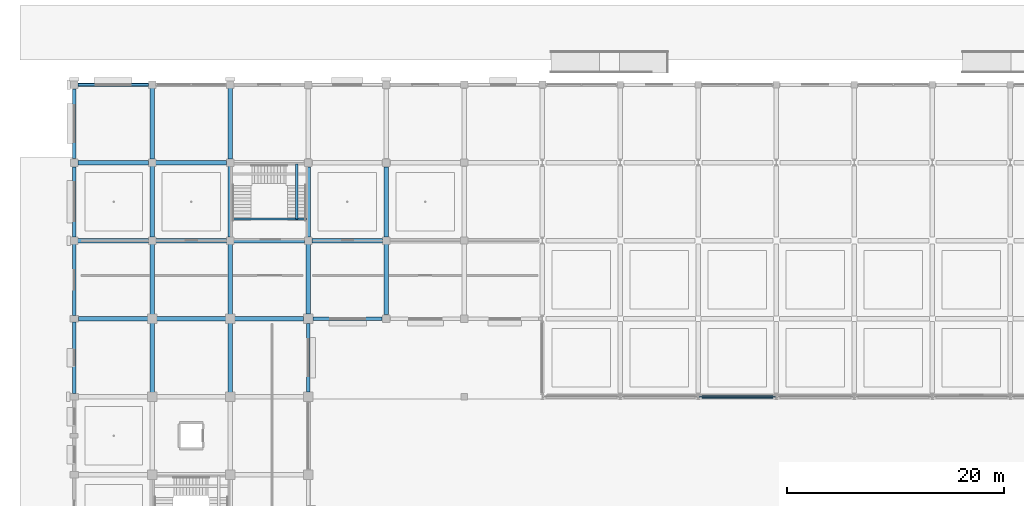
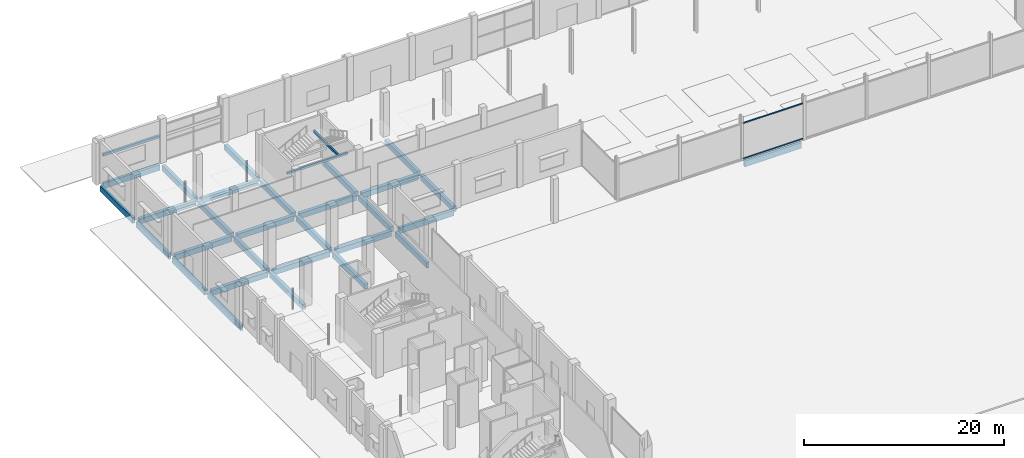
# One storey, part 15 of 90: 32 beams, 2 members, 1 element without a shape of its own.
"""IFC4 building model written with IfcOpenShell, lengths in metres."""

import ifcopenshell
import ifcopenshell.guid

model = None  # the IFC model being written
_history = None  # IfcOwnerHistory: only IFC2X3 demands one
_inside = {}  # id of a spatial element -> (the spatial element, [elements in it])
_under = {}  # id of a project, library or spatial element -> (it, [spatial elements below it])
_declared = {}  # id of a project -> (the project, [libraries it declares])
_typed = {}  # id of a type object -> (the type object, [elements of that type])
_made_of = {}  # id of a material, layer set ... -> (it, [elements and type objects made of it])


def new_model(schema):
    """Start an empty IFC model of exactly this schema.

    Asked for "IFC4X3", IfcOpenShell would pick the latest addendum, in which some entities
    have other attributes; the version numbers below select the first issue.
    IFC2X3 requires an IfcOwnerHistory on every rooted entity: one is made here for all.
    """
    global model, _history
    if schema == "IFC4X3":
        model = ifcopenshell.file(schema_version=(4, 3, 0, 0))
    else:
        model = ifcopenshell.file(schema=schema)
    _inside.clear()
    _under.clear()
    _declared.clear()
    _typed.clear()
    _made_of.clear()
    _history = None
    if model.schema == "IFC2X3":
        org = make("IfcOrganization", Name="unknown")
        user = make(
            "IfcPersonAndOrganization",
            ThePerson=make("IfcPerson", FamilyName="unknown"),
            TheOrganization=org,
        )
        app = make(
            "IfcApplication",
            ApplicationDeveloper=org,
            Version="unknown",
            ApplicationFullName="unknown",
            ApplicationIdentifier="unknown",
        )
        _history = make(
            "IfcOwnerHistory",
            OwningUser=user,
            OwningApplication=app,
            ChangeAction="ADDED",
            CreationDate=0,
        )
    return model


def make(cls, **values):
    """One entity of the class cls with the attributes given. An attribute that is None is left unset."""
    return model.create_entity(
        cls, **{name: value for name, value in values.items() if value is not None}
    )


def rooted(cls, **values):
    """An entity with a GlobalId (a new one), such as an element, a storey or a relation."""
    return make(cls, GlobalId=ifcopenshell.guid.new(), OwnerHistory=_history, **values)


def si_unit(unit_type, name, prefix=None):
    """IfcSIUnit, for example si_unit("LENGTHUNIT", "METRE", prefix="MILLI")."""
    return make("IfcSIUnit", UnitType=unit_type, Prefix=prefix, Name=name)


def assignment(units):
    """IfcUnitAssignment: the units of a project."""
    return None if units is None else make("IfcUnitAssignment", Units=units)


def point(xyz):
    """IfcCartesianPoint."""
    return None if xyz is None else make("IfcCartesianPoint", Coordinates=xyz)


def direction(xyz):
    """IfcDirection."""
    return None if xyz is None else make("IfcDirection", DirectionRatios=xyz)


def frame(location, z_axis=None, x_axis=None):
    """IfcAxis2Placement3D, a coordinate frame: its origin and axes. An axis left out is left unset."""
    return make(
        "IfcAxis2Placement3D",
        Location=point(location),
        Axis=direction(z_axis),
        RefDirection=direction(x_axis),
    )


def frame_2d(location, x_axis=None):
    """IfcAxis2Placement2D, a coordinate frame in the plane: its origin and x axis."""
    return make(
        "IfcAxis2Placement2D", Location=point(location), RefDirection=direction(x_axis)
    )


def origin():
    """The frame at (0, 0, 0) with its axes left unset."""
    return frame((0.0, 0.0, 0.0))


def origin_2d():
    """The frame at (0, 0) in the plane with its x axis left unset."""
    return frame_2d((0.0, 0.0))


def place(relative_to, where):
    """IfcLocalPlacement: puts the frame where relative to a parent placement (None: the world)."""
    return make(
        "IfcLocalPlacement", PlacementRelTo=relative_to, RelativePlacement=where
    )


def context(
    kind, dimensions, precision=None, world=None, true_north=None, identifier=None
):
    """IfcGeometricRepresentationContext, for example the 3D "Model" context."""
    return make(
        "IfcGeometricRepresentationContext",
        ContextIdentifier=identifier,
        ContextType=kind,
        CoordinateSpaceDimension=dimensions,
        Precision=precision,
        WorldCoordinateSystem=world,
        TrueNorth=true_north,
    )


def subcontext(parent, identifier, kind, view, scale=None):
    """IfcGeometricRepresentationSubContext, for example "Body" below "Model"."""
    return make(
        "IfcGeometricRepresentationSubContext",
        ContextIdentifier=identifier,
        ContextType=kind,
        ParentContext=parent,
        TargetScale=scale,
        TargetView=view,
    )


def project(units=None, contexts=None):
    """IfcProject with its units and contexts."""
    return rooted(
        "IfcProject",
        Name="project",
        RepresentationContexts=contexts,
        UnitsInContext=assignment(units),
    )


def spatial(cls, under=None, at=None, **own):
    """A site, building, storey or space (cls), placed at a placement, below another one or the project."""
    s = rooted(cls, ObjectPlacement=at, **own)
    if under is not None:
        _under.setdefault(under.id(), (under, []))[1].append(s)
    return s


def profile(cls, at=None, kind="AREA", **sizes):
    """A parametric profile (cls). Its sizes go by their IFC names, for example OverallWidth=200.0."""
    return make(cls, ProfileType=kind, Position=at, **sizes)


def rectangle(**sizes):
    """IfcRectangleProfileDef."""
    return profile("IfcRectangleProfileDef", **sizes)


def hollow_rectangle(**sizes):
    """IfcRectangleHollowProfileDef."""
    return profile("IfcRectangleHollowProfileDef", **sizes)


def extrude(swept, where, along, depth):
    """IfcExtrudedAreaSolid: the profile swept, set in the frame where, extruded along a direction by depth."""
    return make(
        "IfcExtrudedAreaSolid",
        SweptArea=swept,
        Position=where,
        ExtrudedDirection=direction(along),
        Depth=depth,
    )


def shape(context_of_items, identifier, shape_type, items):
    """IfcShapeRepresentation: the items that make up one representation, for example the "Body"."""
    return make(
        "IfcShapeRepresentation",
        ContextOfItems=context_of_items,
        RepresentationIdentifier=identifier,
        RepresentationType=shape_type,
        Items=items,
    )


def material(Name=None, Category=None):
    """IfcMaterial."""
    return make("IfcMaterial", Name=Name, Category=Category)


def layer(
    of_material, thickness, ventilated=None, Name=None, Category=None, Priority=None
):
    """IfcMaterialLayer: one layer of a wall or slab, of a material (None: an air gap)."""
    return make(
        "IfcMaterialLayer",
        Material=of_material,
        LayerThickness=thickness,
        IsVentilated=ventilated,
        Name=Name,
        Category=Category,
        Priority=Priority,
    )


def layer_set(layers, Name=None):
    """IfcMaterialLayerSet."""
    return make("IfcMaterialLayerSet", MaterialLayers=layers, LayerSetName=Name)


def material_profile(
    of_material, cross_section, Name=None, Category=None, Priority=None
):
    """IfcMaterialProfile: a cross section and its material."""
    return make(
        "IfcMaterialProfile",
        Name=Name,
        Material=of_material,
        Profile=cross_section,
        Priority=Priority,
        Category=Category,
    )


def profile_set(profiles, Name=None, composite=None):
    """IfcMaterialProfileSet."""
    return make(
        "IfcMaterialProfileSet",
        Name=Name,
        MaterialProfiles=profiles,
        CompositeProfile=composite,
    )


def made_of(thing, what):
    """Note that an element or type object is made of a material, layer set ...; save() writes the relation."""
    if what is not None:
        _made_of.setdefault(what.id(), (what, []))[1].append(thing)
    return thing


def type_object(cls, material=None, **own):
    """A type object (cls), such as IfcWallType, which elements share."""
    return made_of(rooted(cls, **own), material)


def element(
    cls,
    number,
    at=None,
    inside=None,
    cuts=None,
    type_object=None,
    material=None,
    context=None,
    identifier="Body",
    shape_type=None,
    held_by="IfcProductDefinitionShape",
    body=None,
    shapes=None,
    **own,
):
    """One element of the class cls, such as IfcWall. Its Tag is "e" and its number.

    at: its placement. inside: the storey or other place that contains it. cuts: it is an
    opening in that element (IfcRelVoidsElement). A single representation is given by context,
    identifier, shape_type and body (its items); several are given by shapes. held_by: the class
    of the entity that holds the representations. save() writes the other relations.
    """
    e = rooted(cls, Tag="e%d" % number, ObjectPlacement=at, **own)
    if body is not None:
        shapes = [shape(context, identifier, shape_type, body)]
    if shapes is not None:
        e.Representation = make(held_by, Representations=shapes)
    if inside is not None:
        _inside.setdefault(inside.id(), (inside, []))[1].append(e)
    if cuts is not None:
        rooted(
            "IfcRelVoidsElement", RelatingBuildingElement=cuts, RelatedOpeningElement=e
        )
    if type_object is not None:
        _typed.setdefault(type_object.id(), (type_object, []))[1].append(e)
    return made_of(e, material)


def aggregate(whole, parts):
    """IfcRelAggregates: a whole, such as a stair, and the parts it consists of."""
    return rooted("IfcRelAggregates", RelatingObject=whole, RelatedObjects=parts)


def save(model, path):
    """Write the relations noted so far, then the file.

    IfcRelAggregates (storeys below a building ...), IfcRelContainedInSpatialStructure (elements
    in a storey), IfcRelDefinesByType, IfcRelAssociatesMaterial and IfcRelDeclares: one each for
    every whole, place, type object, material and project.
    """
    for whole, parts in _under.values():
        aggregate(whole, parts)
    for where, things in _inside.values():
        rooted(
            "IfcRelContainedInSpatialStructure",
            RelatedElements=things,
            RelatingStructure=where,
        )
    for kind, things in _typed.values():
        rooted("IfcRelDefinesByType", RelatedObjects=things, RelatingType=kind)
    for what, things in _made_of.values():
        rooted("IfcRelAssociatesMaterial", RelatedObjects=things, RelatingMaterial=what)
    for by, libraries in _declared.values():
        rooted("IfcRelDeclares", RelatingContext=by, RelatedDefinitions=libraries)
    model.write(path)


model = new_model("IFC4")

# Units and contexts
model_context = context("Model", 3, precision=1e-05, world=origin(), true_north=direction((0.0, 1.0)))
body_context = subcontext(model_context, "Body", "Model", "MODEL_VIEW")
ifc_project = project(units=[si_unit("LENGTHUNIT", "METRE"), si_unit("AREAUNIT", "SQUARE_METRE"), si_unit("VOLUMEUNIT", "CUBIC_METRE"), si_unit("PLANEANGLEUNIT", "RADIAN"), si_unit("MASSUNIT", "GRAM", prefix="KILO")], contexts=[model_context])

# Site, building, storey
site_placement = place(None, origin())
site = spatial("IfcSite", under=ifc_project, at=site_placement, CompositionType="ELEMENT")
building_placement = place(site_placement, origin())
building = spatial("IfcBuilding", under=site, at=building_placement, Name="Kangsadwip Square Police Headquarters", CompositionType="ELEMENT")
storey_placement = place(building_placement, origin())
storey = spatial("IfcBuildingStorey", under=building, at=storey_placement, Name="L00", CompositionType="ELEMENT", Elevation=0.0)

# Curtain wall, members
ifc_material_1 = material(Name="Thermally broken anodised aluminium AW-6063-T6", Category="aluminium")
ifc_layer = layer(ifc_material_1, 0.159912109375)
ifc_layer_set = layer_set([ifc_layer], Name="Thermally broken anodised aluminium AW-6063-T6")
curtain_wall_type = type_object("IfcCurtainWallType", Name="CourtScreen7180x4450", PredefinedType="USERDEFINED", material=ifc_layer_set)
curtain_wall_placement = place(storey_placement, origin())
curtain_wall = element("IfcCurtainWall", 1, at=curtain_wall_placement, inside=storey, type_object=curtain_wall_type, Name="Curtain Wall CW-L00-0576-0864", ObjectType="GLAZED_SCREEN", PredefinedType="USERDEFINED")
ifc_material_2 = material(Name="Thermally broken anodised aluminium AW-6063-T6", Category="aluminium")
ifc_material_profile_1 = material_profile(ifc_material_2, hollow_rectangle(XDim=0.074951171875, YDim=0.139892578125, WallThickness=0.0048828125, at=origin_2d()), Name="CWT 140X75X5")
ifc_profile_set_1 = profile_set([ifc_material_profile_1], Name="Thermally broken anodised aluminium AW-6063-T6")
member_type = type_object("IfcMemberType", Name="CwTransom160x65", PredefinedType="USERDEFINED", material=ifc_profile_set_1)
member_1_placement = place(storey_placement, frame((57.68505859375, 86.39990234375, 0.070068359375), z_axis=(1.0, 0.0, 0.0), x_axis=(0.0, 1.0, 0.0)))
member_1 = element("IfcMember", 2, at=member_1_placement, type_object=member_type, Name="CW-02 transom 1.1", ObjectType="TRANSOM", PredefinedType="USERDEFINED", context=body_context, shape_type="SweptSolid", body=[
    extrude(hollow_rectangle(XDim=0.074951171875, YDim=0.139892578125, WallThickness=0.0048828125, at=origin_2d()), origin(), (0.0, 0.0, 1.0), 7.030029296875),
])
member_2_placement = place(storey_placement, frame((57.68505859375, 86.39990234375, 4.3798828125), z_axis=(1.0, 0.0, 0.0), x_axis=(0.0, 1.0, 0.0)))
member_2 = element("IfcMember", 3, at=member_2_placement, type_object=member_type, Name="CW-02 transom 1.2", ObjectType="TRANSOM", PredefinedType="USERDEFINED", context=body_context, shape_type="SweptSolid", body=[
    extrude(hollow_rectangle(XDim=0.074951171875, YDim=0.139892578125, WallThickness=0.0048828125, at=origin_2d()), origin(), (0.0, 0.0, 1.0), 7.030029296875),
])
aggregate(curtain_wall, [member_1, member_2])

# Beams
ifc_material_3 = material(Name="Concrete M35 (35 MPa)", Category="concrete")
ifc_material_profile_2 = material_profile(ifc_material_3, rectangle(XDim=0.39990234375, YDim=0.64990234375, at=origin_2d()), Name="RC BM 650X400")
ifc_profile_set_2 = profile_set([ifc_material_profile_2], Name="Concrete M35 (35 MPa)")
beam_type_1 = type_object("IfcBeamType", Name="RcBeam650x400", PredefinedType="BEAM", material=ifc_profile_set_2)
beam_1_placement = place(storey_placement, frame((0.39990234375, 93.60009765625, -0.574951171875), z_axis=(1.0, 0.0, 0.0), x_axis=(0.0, 1.0, 0.0)))
element("IfcBeam", 4, at=beam_1_placement, inside=storey, type_object=beam_type_1, Name="Beam BM-L00-X-00-13", PredefinedType="BEAM", context=body_context, shape_type="SweptSolid", body=[
    extrude(rectangle(XDim=0.39990234375, YDim=0.64990234375, at=origin_2d()), origin(), (0.0, 0.0, 1.0), 6.47509765625),
])
beam_2_placement = place(storey_placement, frame((7.52490234375, 93.60009765625, -0.574951171875), z_axis=(1.0, 0.0, 0.0), x_axis=(0.0, 1.0, 0.0)))
element("IfcBeam", 5, at=beam_2_placement, inside=storey, type_object=beam_type_1, Name="Beam BM-L00-X-01-13", PredefinedType="BEAM", context=body_context, shape_type="SweptSolid", body=[
    extrude(rectangle(XDim=0.39990234375, YDim=0.64990234375, at=origin_2d()), origin(), (0.0, 0.0, 1.0), 6.550048828125),
])
beam_3_placement = place(storey_placement, frame((14.72509765625, 93.60009765625, -0.574951171875), z_axis=(1.0, 0.0, 0.0), x_axis=(0.0, 1.0, 0.0)))
element("IfcBeam", 6, at=beam_3_placement, inside=storey, type_object=beam_type_1, Name="Beam BM-L00-X-02-13", PredefinedType="BEAM", context=body_context, shape_type="SweptSolid", body=[
    extrude(rectangle(XDim=0.39990234375, YDim=0.64990234375, at=origin_2d()), origin(), (0.0, 0.0, 1.0), 6.4248046875),
])
for number, where, z_axis, x_axis, name in (
    (7, (0.324951171875, 100.800048828125, -0.574951171875), (1.0, 0.0, 0.0), (0.0, 1.0, 0.0), "Beam BM-L00-X-00-14"),
    (8, (7.52490234375, 100.800048828125, -0.574951171875), (1.0, 0.0, 0.0), (0.0, 1.0, 0.0), "Beam BM-L00-X-01-14"),
):
    element("IfcBeam", number, at=place(storey_placement, frame(where, z_axis=z_axis, x_axis=x_axis)), inside=storey, type_object=beam_type_1, Name=name, PredefinedType="BEAM", context=body_context, shape_type="SweptSolid", body=[
        extrude(rectangle(XDim=0.39990234375, YDim=0.64990234375, at=origin_2d()), origin(), (0.0, 0.0, 1.0), 6.550048828125),
    ])
beam_4_placement = place(storey_placement, frame((14.72509765625, 100.800048828125, -0.574951171875), z_axis=(1.0, 0.0, 0.0), x_axis=(0.0, 1.0, 0.0)))
element("IfcBeam", 9, at=beam_4_placement, inside=storey, type_object=beam_type_1, Name="Beam BM-L00-X-02-14", PredefinedType="BEAM", context=body_context, shape_type="SweptSolid", body=[
    extrude(rectangle(XDim=0.39990234375, YDim=0.64990234375, at=origin_2d()), origin(), (0.0, 0.0, 1.0), 6.5498046875),
])
beam_5_placement = place(storey_placement, frame((21.925048828125, 100.800048828125, -0.574951171875), z_axis=(1.0, 0.0, 0.0), x_axis=(0.0, 1.0, 0.0)))
element("IfcBeam", 10, at=beam_5_placement, inside=storey, type_object=beam_type_1, Name="Beam BM-L00-X-03-14", PredefinedType="BEAM", context=body_context, shape_type="SweptSolid", body=[
    extrude(rectangle(XDim=0.39990234375, YDim=0.64990234375, at=origin_2d()), origin(), (0.0, 0.0, 1.0), 6.550048828125),
])
beam_6_placement = place(storey_placement, frame((0.375, 108.0, -0.574951171875), z_axis=(1.0, 0.0, 0.0), x_axis=(0.0, 1.0, 0.0)))
element("IfcBeam", 11, at=beam_6_placement, inside=storey, type_object=beam_type_1, Name="Beam BM-L00-X-00-15", PredefinedType="BEAM", context=body_context, shape_type="SweptSolid", body=[
    extrude(rectangle(XDim=0.39990234375, YDim=0.64990234375, at=origin_2d()), origin(), (0.0, 0.0, 1.0), 6.5),
])
beam_7_placement = place(storey_placement, frame((7.52490234375, 108.0, -0.574951171875), z_axis=(1.0, 0.0, 0.0), x_axis=(0.0, 1.0, 0.0)))
element("IfcBeam", 12, at=beam_7_placement, inside=storey, type_object=beam_type_1, Name="Beam BM-L00-X-01-15", PredefinedType="BEAM", context=body_context, shape_type="SweptSolid", body=[
    extrude(rectangle(XDim=0.39990234375, YDim=0.64990234375, at=origin_2d()), origin(), (0.0, 0.0, 1.0), 6.550048828125),
])
beam_8_placement = place(storey_placement, frame((7.199951171875, 86.72509765625, -0.574951171875), z_axis=(0.0, 1.0, 0.0), x_axis=(-1.0, 0.0, 0.0)))
element("IfcBeam", 13, at=beam_8_placement, inside=storey, type_object=beam_type_1, Name="Beam BM-L00-Y-01-12", PredefinedType="BEAM", context=body_context, shape_type="SweptSolid", body=[
    extrude(rectangle(XDim=0.39990234375, YDim=0.64990234375, at=origin_2d()), origin(), (0.0, 0.0, 1.0), 6.5498046875),
])
for number, where, z_axis, x_axis, name in (
    (14, (7.199951171875, 93.925048828125, -0.574951171875), (0.0, 1.0, 0.0), (-1.0, 0.0, 0.0), "Beam BM-L00-Y-01-13"),
    (15, (7.199951171875, 101.125, -0.574951171875), (0.0, 1.0, 0.0), (-1.0, 0.0, 0.0), "Beam BM-L00-Y-01-14"),
    (16, (7.199951171875, 108.324951171875, -0.574951171875), (0.0, 1.0, 0.0), (-1.0, 0.0, 0.0), "Beam BM-L00-Y-01-15"),
):
    element("IfcBeam", number, at=place(storey_placement, frame(where, z_axis=z_axis, x_axis=x_axis)), inside=storey, type_object=beam_type_1, Name=name, PredefinedType="BEAM", context=body_context, shape_type="SweptSolid", body=[
        extrude(rectangle(XDim=0.39990234375, YDim=0.64990234375, at=origin_2d()), origin(), (0.0, 0.0, 1.0), 6.550048828125),
    ])
beam_9_placement = place(storey_placement, frame((14.39990234375, 86.72509765625, -0.574951171875), z_axis=(0.0, 1.0, 0.0), x_axis=(-1.0, 0.0, 0.0)))
element("IfcBeam", 17, at=beam_9_placement, inside=storey, type_object=beam_type_1, Name="Beam BM-L00-Y-02-12", PredefinedType="BEAM", context=body_context, shape_type="SweptSolid", body=[
    extrude(rectangle(XDim=0.39990234375, YDim=0.64990234375, at=origin_2d()), origin(), (0.0, 0.0, 1.0), 6.5498046875),
])
for number, where, z_axis, x_axis, name in (
    (18, (14.39990234375, 93.925048828125, -0.574951171875), (0.0, 1.0, 0.0), (-1.0, 0.0, 0.0), "Beam BM-L00-Y-02-13"),
    (19, (14.39990234375, 101.125, -0.574951171875), (0.0, 1.0, 0.0), (-1.0, 0.0, 0.0), "Beam BM-L00-Y-02-14"),
    (20, (14.39990234375, 108.324951171875, -0.574951171875), (0.0, 1.0, 0.0), (-1.0, 0.0, 0.0), "Beam BM-L00-Y-02-15"),
):
    element("IfcBeam", number, at=place(storey_placement, frame(where, z_axis=z_axis, x_axis=x_axis)), inside=storey, type_object=beam_type_1, Name=name, PredefinedType="BEAM", context=body_context, shape_type="SweptSolid", body=[
        extrude(rectangle(XDim=0.39990234375, YDim=0.64990234375, at=origin_2d()), origin(), (0.0, 0.0, 1.0), 6.550048828125),
    ])
beam_10_placement = place(storey_placement, frame((21.60009765625, 94.050048828125, -0.574951171875), z_axis=(0.0, 1.0, 0.0), x_axis=(-1.0, 0.0, 0.0)))
element("IfcBeam", 21, at=beam_10_placement, inside=storey, type_object=beam_type_1, Name="Beam BM-L00-Y-03-13", PredefinedType="BEAM", context=body_context, shape_type="SweptSolid", body=[
    extrude(rectangle(XDim=0.39990234375, YDim=0.64990234375, at=origin_2d()), origin(), (0.0, 0.0, 1.0), 6.425048828125),
])
for number, where, z_axis, x_axis, name in (
    (22, (21.60009765625, 101.125, -0.574951171875), (0.0, 1.0, 0.0), (-1.0, 0.0, 0.0), "Beam BM-L00-Y-03-14"),
    (23, (28.800048828125, 93.97509765625, -0.574951171875), (0.0, 1.0, 0.0), (-1.0, 0.0, 0.0), "Beam BM-L00-Y-04-13"),
    (24, (28.800048828125, 101.125, -0.574951171875), (0.0, 1.0, 0.0), (-1.0, 0.0, 0.0), "Beam BM-L00-Y-04-14"),
):
    element("IfcBeam", number, at=place(storey_placement, frame(where, z_axis=z_axis, x_axis=x_axis)), inside=storey, type_object=beam_type_1, Name=name, PredefinedType="BEAM", context=body_context, shape_type="SweptSolid", body=[
        extrude(rectangle(XDim=0.39990234375, YDim=0.64990234375, at=origin_2d()), origin(), (0.0, 0.0, 1.0), 6.5),
    ])
ifc_material_4 = material(Name="Concrete M30 (30 MPa)", Category="concrete")
ifc_material_profile_3 = material_profile(ifc_material_4, rectangle(XDim=0.199951171875, YDim=0.25, at=origin_2d()), Name="RC LNT 250X200")
ifc_profile_set_3 = profile_set([ifc_material_profile_3], Name="Concrete M30 (30 MPa)")
beam_type_2 = type_object("IfcBeamType", Name="RcLintel250x200", PredefinedType="LINTEL", material=ifc_profile_set_3)
beam_11_placement = place(storey_placement, frame((14.5, 102.820068359375, 3.455078125), z_axis=(1.0, 0.0, 0.0), x_axis=(0.0, 1.0, 0.0)))
element("IfcBeam", 25, at=beam_11_placement, inside=storey, type_object=beam_type_2, Name="Stair Carriage and Landing Beam BM-ST-L00-090", PredefinedType="BEAM", context=body_context, shape_type="SweptSolid", body=[
    extrude(rectangle(XDim=0.199951171875, YDim=0.25, at=origin_2d()), origin(), (0.0, 0.0, 1.0), 7.0),
])
beam_12_placement = place(storey_placement, frame((20.544921875, 102.820068359375, 3.455078125), z_axis=(0.0, 1.0, 0.0), x_axis=(-1.0, 0.0, 0.0)))
element("IfcBeam", 26, at=beam_12_placement, inside=storey, type_object=beam_type_2, Name="Stair Carriage and Landing Beam BM-ST-L00-091", PredefinedType="BEAM", context=body_context, shape_type="SweptSolid", body=[
    extrude(rectangle(XDim=0.199951171875, YDim=0.25, at=origin_2d()), origin(), (0.0, 0.0, 1.0), 5.079833984375),
])
ifc_material_5 = material(Name="Concrete M35 (35 MPa)", Category="concrete")
ifc_material_profile_4 = material_profile(ifc_material_5, rectangle(XDim=0.25, YDim=0.300048828125, at=origin_2d()), Name="RC LNT 300X250")
ifc_profile_set_4 = profile_set([ifc_material_profile_4], Name="Concrete M35 (35 MPa)")
beam_type_3 = type_object("IfcBeamType", Name="RcLintel300x250", PredefinedType="LINTEL", material=ifc_profile_set_4)
beam_13_placement = place(storey_placement, frame((0.35009765625, 115.199951171875, 3.14990234375), z_axis=(1.0, 0.0, 0.0), x_axis=(0.0, 1.0, 0.0)))
element("IfcBeam", 27, at=beam_13_placement, inside=storey, type_object=beam_type_3, Name="Opening Lintel Beam LNT-L00-0368", PredefinedType="LINTEL", context=body_context, shape_type="SweptSolid", body=[
    extrude(rectangle(XDim=0.25, YDim=0.300048828125, at=origin_2d()), origin(), (0.0, 0.0, 1.0), 6.5),
])
ifc_material_6 = material(Name="Concrete M40 (40 MPa)", Category="concrete")
ifc_material_profile_5 = material_profile(ifc_material_6, rectangle(XDim=0.300048828125, YDim=0.699951171875, at=origin_2d()), Name="RC SPN 700X300")
ifc_profile_set_5 = profile_set([ifc_material_profile_5], Name="Concrete M40 (40 MPa)")
beam_type_4 = type_object("IfcBeamType", Name="RcSpandrel700x300", PredefinedType="SPANDREL", material=ifc_profile_set_5)
beam_14_placement = place(storey_placement, frame((57.925048828125, 86.39990234375, -0.60009765625), z_axis=(1.0, 0.0, 0.0), x_axis=(0.0, 1.0, 0.0)))
element("IfcBeam", 28, at=beam_14_placement, inside=storey, type_object=beam_type_4, Name="Beam BM-L00-X-08-12", PredefinedType="SPANDREL", context=body_context, shape_type="SweptSolid", body=[
    extrude(rectangle(XDim=0.300048828125, YDim=0.699951171875, at=origin_2d()), origin(), (0.0, 0.0, 1.0), 6.550048828125),
])
beam_15_placement = place(storey_placement, frame((22.050048828125, 93.60009765625, -0.60009765625), z_axis=(1.0, 0.0, 0.0), x_axis=(0.0, 1.0, 0.0)))
element("IfcBeam", 29, at=beam_15_placement, inside=storey, type_object=beam_type_4, Name="Beam BM-L00-X-03-13", PredefinedType="SPANDREL", context=body_context, shape_type="SweptSolid", body=[
    extrude(rectangle(XDim=0.300048828125, YDim=0.699951171875, at=origin_2d()), origin(), (0.0, 0.0, 1.0), 6.375),
])
beam_16_placement = place(storey_placement, frame((0.375, 115.199951171875, -0.60009765625), z_axis=(1.0, 0.0, 0.0), x_axis=(0.0, 1.0, 0.0)))
element("IfcBeam", 30, at=beam_16_placement, inside=storey, type_object=beam_type_4, Name="Beam BM-L00-X-00-16", PredefinedType="SPANDREL", context=body_context, shape_type="SweptSolid", body=[
    extrude(rectangle(XDim=0.300048828125, YDim=0.699951171875, at=origin_2d()), origin(), (0.0, 0.0, 1.0), 6.5),
])
beam_17_placement = place(storey_placement, frame((0.0, 86.699951171875, -0.60009765625), z_axis=(0.0, 1.0, 0.0), x_axis=(-1.0, 0.0, 0.0)))
element("IfcBeam", 31, at=beam_17_placement, inside=storey, type_object=beam_type_4, Name="Beam BM-L00-Y-00-12", PredefinedType="SPANDREL", context=body_context, shape_type="SweptSolid", body=[
    extrude(rectangle(XDim=0.300048828125, YDim=0.699951171875, at=origin_2d()), origin(), (0.0, 0.0, 1.0), 6.60009765625),
])
beam_18_placement = place(storey_placement, frame((0.0, 93.89990234375, -0.60009765625), z_axis=(0.0, 1.0, 0.0), x_axis=(-1.0, 0.0, 0.0)))
element("IfcBeam", 32, at=beam_18_placement, inside=storey, type_object=beam_type_4, Name="Beam BM-L00-Y-00-13", PredefinedType="SPANDREL", context=body_context, shape_type="SweptSolid", body=[
    extrude(rectangle(XDim=0.300048828125, YDim=0.699951171875, at=origin_2d()), origin(), (0.0, 0.0, 1.0), 6.5751953125),
])
beam_19_placement = place(storey_placement, frame((0.0, 101.125, -0.60009765625), z_axis=(0.0, 1.0, 0.0), x_axis=(-1.0, 0.0, 0.0)))
element("IfcBeam", 33, at=beam_19_placement, inside=storey, type_object=beam_type_4, Name="Beam BM-L00-Y-00-14", PredefinedType="SPANDREL", context=body_context, shape_type="SweptSolid", body=[
    extrude(rectangle(XDim=0.300048828125, YDim=0.699951171875, at=origin_2d()), origin(), (0.0, 0.0, 1.0), 6.5),
])
beam_20_placement = place(storey_placement, frame((0.0, 108.375, -0.60009765625), z_axis=(0.0, 1.0, 0.0), x_axis=(-1.0, 0.0, 0.0)))
element("IfcBeam", 34, at=beam_20_placement, inside=storey, type_object=beam_type_4, Name="Beam BM-L00-Y-00-15", PredefinedType="SPANDREL", context=body_context, shape_type="SweptSolid", body=[
    extrude(rectangle(XDim=0.300048828125, YDim=0.699951171875, at=origin_2d()), origin(), (0.0, 0.0, 1.0), 6.449951171875),
])
beam_21_placement = place(storey_placement, frame((21.60009765625, 86.85009765625, -0.60009765625), z_axis=(0.0, 1.0, 0.0), x_axis=(-1.0, 0.0, 0.0)))
element("IfcBeam", 35, at=beam_21_placement, inside=storey, type_object=beam_type_4, Name="Beam BM-L00-Y-03-12", PredefinedType="SPANDREL", context=body_context, shape_type="SweptSolid", body=[
    extrude(rectangle(XDim=0.300048828125, YDim=0.699951171875, at=origin_2d()), origin(), (0.0, 0.0, 1.0), 6.2998046875),
])

save(model, "model.ifc")
